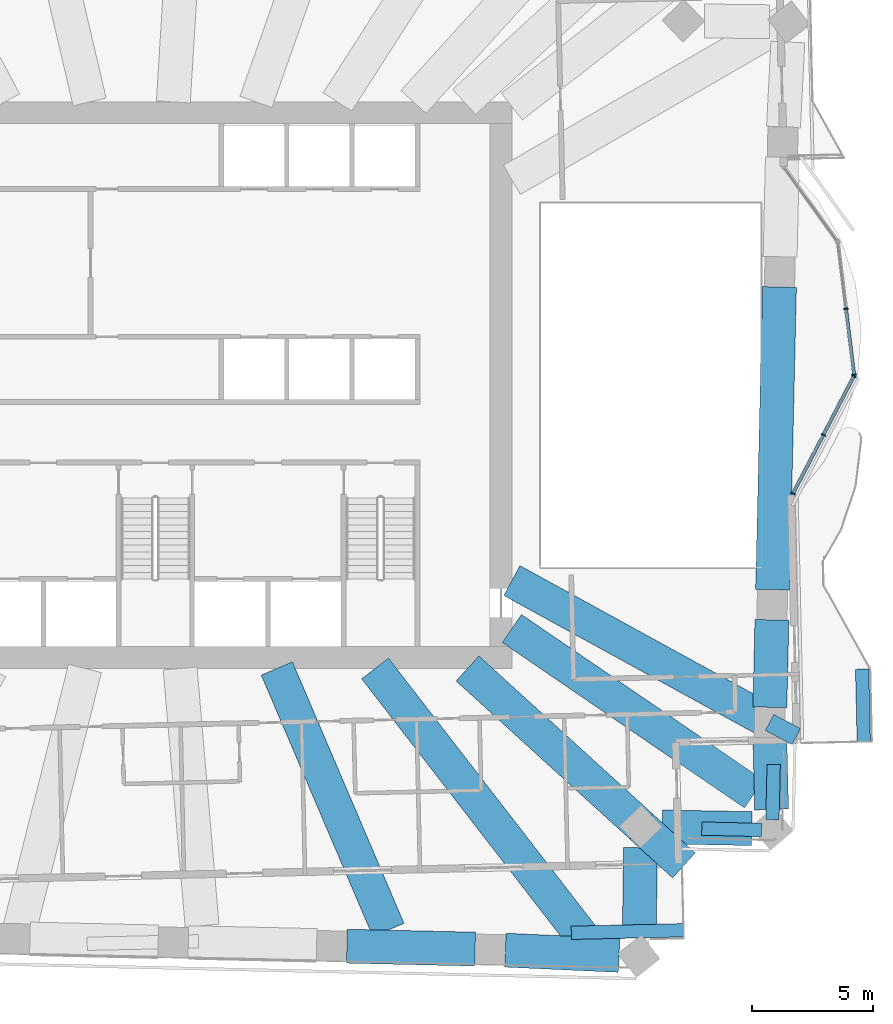
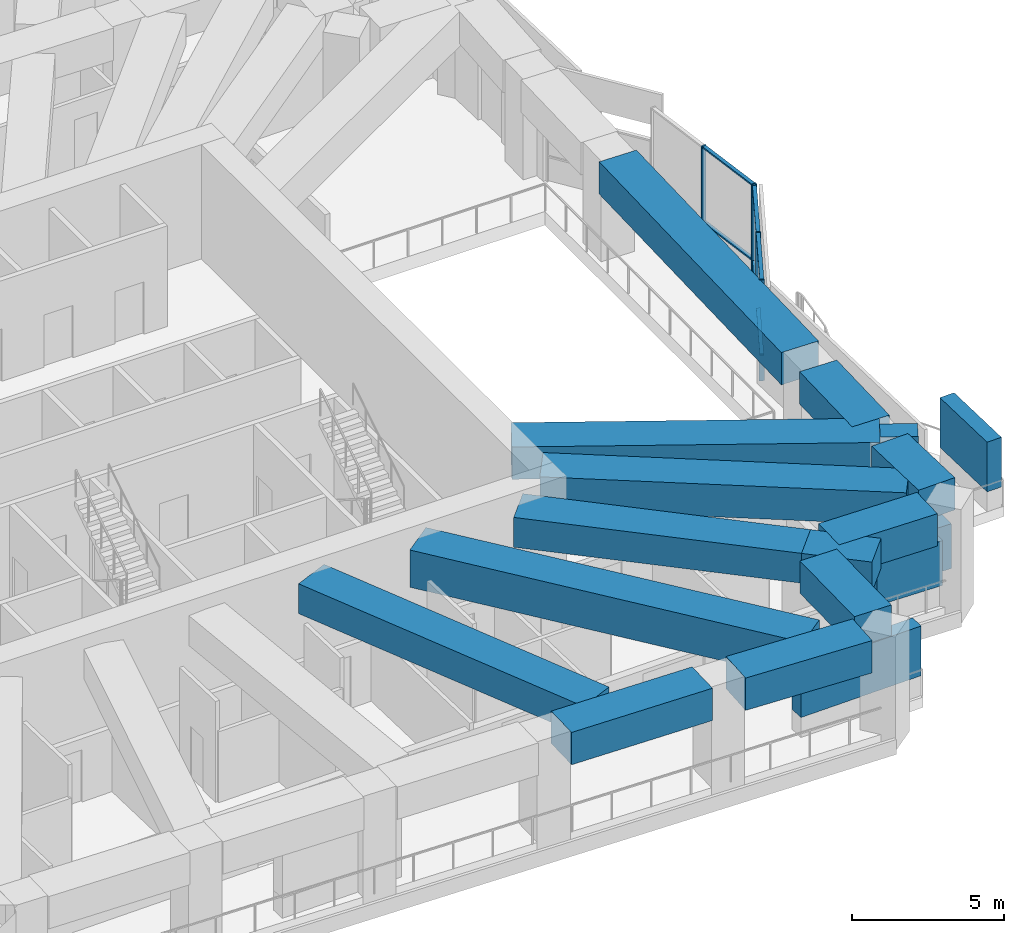
# One storey, part 3 of 17: 15 members, 14 beams, 2 elements without a shape of their own.
"""IFC4 building model written with IfcOpenShell, lengths in metres."""

from ifc_helpers import new_model, si_unit, direction, frame, origin, origin_2d, place, context, subcontext, project, spatial, rectangle, extrude, material, material_profile, profile_set, type_object, element, aggregate, save


model = new_model("IFC4")

# Units and contexts
model_context = context("Model", 3, precision=1e-05, world=origin(), true_north=direction((0.0, 1.0)))
body_context = subcontext(model_context, "Body", "Model", "MODEL_VIEW")
ifc_project = project(units=[si_unit("LENGTHUNIT", "METRE"), si_unit("AREAUNIT", "SQUARE_METRE"), si_unit("VOLUMEUNIT", "CUBIC_METRE"), si_unit("PLANEANGLEUNIT", "RADIAN"), si_unit("MASSUNIT", "GRAM", prefix="KILO")], contexts=[model_context])

# Site, building, storey
site_placement = place(None, origin())
site = spatial("IfcSite", under=ifc_project, at=site_placement, CompositionType="ELEMENT")
building_placement = place(site_placement, origin())
building = spatial("IfcBuilding", under=site, at=building_placement, Name="Mangrove Gate Tower", CompositionType="ELEMENT")
storey_placement = place(building_placement, frame((0.0, 0.0, 170.699951171875)))
storey = spatial("IfcBuildingStorey", under=building, at=storey_placement, Name="L43", CompositionType="ELEMENT", Elevation=170.699951171875)

# Members
ifc_material_1 = material(Name="Planting on aluminium trellis", Category="aluminium")
ifc_material_profile_1 = material_profile(ifc_material_1, rectangle(XDim=0.550048828125, YDim=2.0, at=origin_2d()))
ifc_profile_set_1 = profile_set([ifc_material_profile_1], Name="Planting on aluminium trellis")
member_type_1 = type_object("IfcMemberType", Name="Balcony greenery screen 550x2000", PredefinedType="USERDEFINED", material=ifc_profile_set_1)
member_1_placement = place(storey_placement, frame((29.23388671875, -14.72705078125, 1.800048828125), z_axis=(-0.022625271604, 0.999744015778, 0.0), x_axis=(-0.999744015778, -0.022625271604, 0.0)))
element("IfcMember", 1, at=member_1_placement, inside=storey, type_object=member_type_1, Name="GREEN SCREEN L43 E0.1", ObjectType="PLANTING", PredefinedType="USERDEFINED", context=body_context, shape_type="SweptSolid", body=[
    extrude(rectangle(XDim=0.550048828125, YDim=2.0, at=origin_2d()), origin(), (0.0, 0.0, 1.0), 2.999755859375),
])
member_2_placement = place(storey_placement, frame((17.155029296875, -22.617919921875, 1.800048828125), z_axis=(0.999744031086, 0.022624595199, 0.0), x_axis=(-0.022624595199, 0.999744031086, 0.0)))
element("IfcMember", 2, at=member_2_placement, inside=storey, type_object=member_type_1, Name="GREEN SCREEN L43 S1.1", ObjectType="PLANTING", PredefinedType="USERDEFINED", context=body_context, shape_type="SweptSolid", body=[
    extrude(rectangle(XDim=0.550048828125, YDim=2.0, at=origin_2d()), origin(), (0.0, 0.0, 1.0), 4.64013671875),
])
ifc_material_2 = material(Name="Planting on aluminium trellis", Category="aluminium")
ifc_material_profile_2 = material_profile(ifc_material_2, rectangle(XDim=0.550048828125, YDim=1.800048828125, at=origin_2d()))
ifc_profile_set_2 = profile_set([ifc_material_profile_2], Name="Planting on aluminium trellis")
member_type_2 = type_object("IfcMemberType", Name="Roof greenery screen 550x1800", PredefinedType="USERDEFINED", material=ifc_profile_set_2)
member_3_placement = place(storey_placement, frame((25.01708984375, -18.37109375, 1.699951171875), z_axis=(-0.999733308565, 0.023093543357, 0.0), x_axis=(-0.023093543357, -0.999733308565, 0.0)))
element("IfcMember", 3, at=member_3_placement, inside=storey, type_object=member_type_2, Name="GREEN SCREEN L43 T2.1.6", ObjectType="PLANTING", PredefinedType="USERDEFINED", context=body_context, shape_type="SweptSolid", body=[
    extrude(rectangle(XDim=0.550048828125, YDim=1.800048828125, at=origin_2d()), origin(), (0.0, 0.0, 1.0), 2.473876953125),
])
member_4_placement = place(storey_placement, frame((25.512939453125, -15.6650390625, 1.699951171875), z_axis=(-0.022791894382, -0.999740231035, 0.0), x_axis=(0.999740231035, -0.022791894382, 0.0)))
element("IfcMember", 4, at=member_4_placement, inside=storey, type_object=member_type_2, Name="GREEN SCREEN L43 T2.2.6", ObjectType="PLANTING", PredefinedType="USERDEFINED", context=body_context, shape_type="SweptSolid", body=[
    extrude(rectangle(XDim=0.550048828125, YDim=1.800048828125, at=origin_2d()), origin(), (0.0, 0.0, 1.0), 2.281494140625),
])

# Curtain wall, members
ifc_material_3 = material(Name="Aluminium and glass curtain wall", Category="aluminium")
curtain_wall_type = type_object("IfcCurtainWallType", Name="Sky-lounge glazing wall", PredefinedType="NOTDEFINED", material=ifc_material_3)
curtain_wall_1_placement = place(storey_placement, origin())
curtain_wall_1 = element("IfcCurtainWall", 5, at=curtain_wall_1_placement, inside=storey, type_object=curtain_wall_type, Name="Sky-lounge glazing E1f1", PredefinedType="NOTDEFINED")
ifc_material_4 = material(Name="Aluminium alloy 6063-T6", Category="aluminium")
ifc_material_profile_3 = material_profile(ifc_material_4, rectangle(XDim=0.06005859375, YDim=0.179931640625, at=origin_2d()))
ifc_profile_set_3 = profile_set([ifc_material_profile_3], Name="Aluminium alloy 6063-T6")
member_type_3 = type_object("IfcMemberType", Name="Sky-lounge glazing mullion 60x180", PredefinedType="MULLION", material=ifc_profile_set_3)
member_5_placement = place(storey_placement, frame((26.310791015625, -4.473388671875, 0.0), z_axis=(0.0, 0.0, 1.0), x_axis=(0.460655932152, 0.887578792093, 0.0)))
member_5 = element("IfcMember", 6, at=member_5_placement, type_object=member_type_3, Name="CWK mullion 1", PredefinedType="MULLION", context=body_context, shape_type="SweptSolid", body=[
    extrude(rectangle(XDim=0.06005859375, YDim=0.179931640625, at=origin_2d()), origin(), (0.0, 0.0, 1.0), 4.050048828125),
])
member_6_placement = place(storey_placement, frame((27.56689453125, -2.052978515625, 0.0), z_axis=(0.0, 0.0, 1.0), x_axis=(0.460655932152, 0.887578792093, 0.0)))
member_6 = element("IfcMember", 7, at=member_6_placement, type_object=member_type_3, Name="CWK mullion 2", PredefinedType="MULLION", context=body_context, shape_type="SweptSolid", body=[
    extrude(rectangle(XDim=0.06005859375, YDim=0.179931640625, at=origin_2d()), origin(), (0.0, 0.0, 1.0), 4.050048828125),
])
member_7_placement = place(storey_placement, frame((28.8232421875, 0.367431640625, 0.0), z_axis=(0.0, 0.0, 1.0), x_axis=(0.460655932152, 0.887578792093, 0.0)))
member_7 = element("IfcMember", 8, at=member_7_placement, type_object=member_type_3, Name="CWK mullion 3", PredefinedType="MULLION", context=body_context, shape_type="SweptSolid", body=[
    extrude(rectangle(XDim=0.06005859375, YDim=0.179931640625, at=origin_2d()), origin(), (0.0, 0.0, 1.0), 4.050048828125),
])

curtain_wall_2_placement = place(storey_placement, origin())
curtain_wall_2 = element("IfcCurtainWall", 9, at=curtain_wall_2_placement, inside=storey, type_object=curtain_wall_type, Name="Sky-lounge glazing E1f2", PredefinedType="NOTDEFINED")
member_8_placement = place(storey_placement, frame((28.83349609375, 0.424072265625, 0.0), z_axis=(0.0, 0.0, 1.0), x_axis=(-0.122172286076, 0.992508908028, 0.0)))
member_8 = element("IfcMember", 10, at=member_8_placement, type_object=member_type_3, Name="CWK mullion 1", PredefinedType="MULLION", context=body_context, shape_type="SweptSolid", body=[
    extrude(rectangle(XDim=0.06005859375, YDim=0.179931640625, at=origin_2d()), origin(), (0.0, 0.0, 1.0), 4.050048828125),
])
member_9_placement = place(storey_placement, frame((28.496826171875, 3.16015625, 0.0), z_axis=(0.0, 0.0, 1.0), x_axis=(-0.122172286076, 0.992508908028, 0.0)))
member_9 = element("IfcMember", 11, at=member_9_placement, type_object=member_type_3, Name="CWK mullion 2", PredefinedType="MULLION", context=body_context, shape_type="SweptSolid", body=[
    extrude(rectangle(XDim=0.06005859375, YDim=0.179931640625, at=origin_2d()), origin(), (0.0, 0.0, 1.0), 4.050048828125),
])

# Member
ifc_material_5 = material(Name="Aluminium alloy 6063-T6", Category="aluminium")
ifc_material_profile_4 = material_profile(ifc_material_5, rectangle(XDim=0.06005859375, YDim=0.139892578125, at=origin_2d()))
ifc_profile_set_4 = profile_set([ifc_material_profile_4], Name="Aluminium alloy 6063-T6")
member_type_4 = type_object("IfcMemberType", Name="Sky-lounge glazing transom 60x140", PredefinedType="USERDEFINED", material=ifc_profile_set_4)
member_10_placement = place(storey_placement, frame((26.32470703125, -4.44677734375, 1.0), z_axis=(0.46063777775, 0.887588214044, 0.0), x_axis=(0.0, 0.0, 1.0)))
member_10 = element("IfcMember", 12, at=member_10_placement, type_object=member_type_4, Name="CWK transom 1.2", ObjectType="TRANSOM", PredefinedType="USERDEFINED", context=body_context, shape_type="SweptSolid", body=[
    extrude(rectangle(XDim=0.06005859375, YDim=0.139892578125, at=origin_2d()), origin(), (0.0, 0.0, 1.0), 2.6669921875),
])

member_11_placement = place(storey_placement, frame((26.32470703125, -4.44677734375, 4.02001953125), z_axis=(0.46063777775, 0.887588214044, 0.0), x_axis=(0.0, 0.0, 1.0)))
member_11 = element("IfcMember", 13, at=member_11_placement, type_object=member_type_4, Name="CWK transom 1.3", ObjectType="TRANSOM", PredefinedType="USERDEFINED", context=body_context, shape_type="SweptSolid", body=[
    extrude(rectangle(XDim=0.06005859375, YDim=0.139892578125, at=origin_2d()), origin(), (0.0, 0.0, 1.0), 2.6669921875),
])

member_12_placement = place(storey_placement, frame((27.580810546875, -2.0263671875, 1.0), z_axis=(0.46063777775, 0.887588214044, 0.0), x_axis=(0.0, 0.0, 1.0)))
member_12 = element("IfcMember", 14, at=member_12_placement, type_object=member_type_4, Name="CWK transom 2.2", ObjectType="TRANSOM", PredefinedType="USERDEFINED", context=body_context, shape_type="SweptSolid", body=[
    extrude(rectangle(XDim=0.06005859375, YDim=0.139892578125, at=origin_2d()), origin(), (0.0, 0.0, 1.0), 2.6669921875),
])

member_13_placement = place(storey_placement, frame((27.580810546875, -2.0263671875, 4.02001953125), z_axis=(0.46063777775, 0.887588214044, 0.0), x_axis=(0.0, 0.0, 1.0)))
member_13 = element("IfcMember", 15, at=member_13_placement, type_object=member_type_4, Name="CWK transom 2.3", ObjectType="TRANSOM", PredefinedType="USERDEFINED", context=body_context, shape_type="SweptSolid", body=[
    extrude(rectangle(XDim=0.06005859375, YDim=0.139892578125, at=origin_2d()), origin(), (0.0, 0.0, 1.0), 2.6669921875),
])

aggregate(curtain_wall_1, [member_5, member_6, member_7, member_10, member_11, member_12, member_13])

member_14_placement = place(storey_placement, frame((28.829833984375, 0.453857421875, 1.0), z_axis=(-0.122129132669, 0.992514219018, 0.0), x_axis=(0.0, 0.0, 1.0)))
member_14 = element("IfcMember", 16, at=member_14_placement, type_object=member_type_4, Name="CWK transom 1.2", ObjectType="TRANSOM", PredefinedType="USERDEFINED", context=body_context, shape_type="SweptSolid", body=[
    extrude(rectangle(XDim=0.06005859375, YDim=0.139892578125, at=origin_2d()), origin(), (0.0, 0.0, 1.0), 2.69677734375),
])

member_15_placement = place(storey_placement, frame((28.829833984375, 0.453857421875, 4.02001953125), z_axis=(-0.122129132669, 0.992514219018, 0.0), x_axis=(0.0, 0.0, 1.0)))
member_15 = element("IfcMember", 17, at=member_15_placement, type_object=member_type_4, Name="CWK transom 1.3", ObjectType="TRANSOM", PredefinedType="USERDEFINED", context=body_context, shape_type="SweptSolid", body=[
    extrude(rectangle(XDim=0.06005859375, YDim=0.139892578125, at=origin_2d()), origin(), (0.0, 0.0, 1.0), 2.69677734375),
])

aggregate(curtain_wall_2, [member_8, member_9, member_14, member_15])

# Beams
ifc_material_6 = material(Name="Concrete C60/75", Category="concrete")
ifc_material_profile_5 = material_profile(ifc_material_6, rectangle(XDim=1.39990234375, YDim=1.199951171875, at=origin_2d()))
ifc_profile_set_5 = profile_set([ifc_material_profile_5], Name="Concrete C60/75")
beam_type_1 = type_object("IfcBeamType", Name="Transfer girder RC 1400x1200 C60/75", PredefinedType="BEAM", material=ifc_profile_set_5)
beam_1_placement = place(storey_placement, frame((4.992431640625, -11.699951171875, 3.449951171875), z_axis=(0.392466120443, -0.919766461829, 0.0), x_axis=(0.919766461829, 0.392466120443, 0.0)))
element("IfcBeam", 18, at=beam_1_placement, inside=storey, type_object=beam_type_1, Name="Transfer girder L43 08", PredefinedType="BEAM", context=body_context, shape_type="SweptSolid", body=[
    extrude(rectangle(XDim=1.39990234375, YDim=1.199951171875, at=origin_2d()), origin(), (0.0, 0.0, 1.0), 11.744140625),
])
beam_2_placement = place(storey_placement, frame((12.866455078125, -11.699951171875, 3.449951171875), z_axis=(0.739850159483, -0.672771686022, 0.0), x_axis=(0.672771686022, 0.739850159483, 0.0)))
element("IfcBeam", 19, at=beam_2_placement, inside=storey, type_object=beam_type_1, Name="Transfer girder L43 10", PredefinedType="BEAM", context=body_context, shape_type="SweptSolid", body=[
    extrude(rectangle(XDim=1.39990234375, YDim=1.199951171875, at=origin_2d()), origin(), (0.0, 0.0, 1.0), 9.706787109375),
])
beam_3_placement = place(storey_placement, frame((20.048095703125, -18.23046875, 3.449951171875), z_axis=(0.739828583596, -0.672795412361, 0.0), x_axis=(0.672795412361, 0.739828583596, 0.0)))
element("IfcBeam", 20, at=beam_3_placement, inside=storey, type_object=beam_type_1, Name="Transfer cantilever girder L43 10", PredefinedType="BEAM", context=body_context, shape_type="SweptSolid", body=[
    extrude(rectangle(XDim=1.39990234375, YDim=1.199951171875, at=origin_2d()), origin(), (0.0, 0.0, 1.0), 2.378173828125),
])
ifc_material_7 = material(Name="Concrete C60/75", Category="concrete")
ifc_material_profile_6 = material_profile(ifc_material_7, rectangle(XDim=1.39990234375, YDim=1.300048828125, at=origin_2d()))
ifc_profile_set_6 = profile_set([ifc_material_profile_6], Name="Concrete C60/75")
beam_type_2 = type_object("IfcBeamType", Name="Transfer girder RC 1400x1300 C60/75", PredefinedType="BEAM", material=ifc_profile_set_6)
beam_4_placement = place(storey_placement, frame((7.885009765625, -23.17333984375, 3.400146484375), z_axis=(0.999744919731, -0.022585293253, 0.0), x_axis=(0.022585293253, 0.999744919731, 0.0)))
element("IfcBeam", 21, at=beam_4_placement, inside=storey, type_object=beam_type_2, Name="Transfer ring girder L43 08", PredefinedType="BEAM", context=body_context, shape_type="SweptSolid", body=[
    extrude(rectangle(XDim=1.39990234375, YDim=1.300048828125, at=origin_2d()), origin(), (0.0, 0.0, 1.0), 5.296875),
])
beam_5_placement = place(storey_placement, frame((14.4296875, -23.3359375, 3.400146484375), z_axis=(0.998942344902, -0.045980338859, 0.0), x_axis=(0.045980338859, 0.998942344902, 0.0)))
element("IfcBeam", 22, at=beam_5_placement, inside=storey, type_object=beam_type_2, Name="Transfer ring girder L43 09", PredefinedType="BEAM", context=body_context, shape_type="SweptSolid", body=[
    extrude(rectangle(XDim=1.39990234375, YDim=1.300048828125, at=origin_2d()), origin(), (0.0, 0.0, 1.0), 4.698974609375),
])
beam_6_placement = place(storey_placement, frame((19.9609375, -22.785400390625, 3.400146484375), z_axis=(0.014333541957, 0.999897269511, 0.0), x_axis=(-0.999897269511, 0.014333541957, 0.0)))
element("IfcBeam", 23, at=beam_6_placement, inside=storey, type_object=beam_type_2, Name="Transfer ring girder L43 10", PredefinedType="BEAM", context=body_context, shape_type="SweptSolid", body=[
    extrude(rectangle(XDim=1.39990234375, YDim=1.300048828125, at=origin_2d()), origin(), (0.0, 0.0, 1.0), 3.67919921875),
])
beam_7_placement = place(storey_placement, frame((20.90625, -18.24658203125, 3.400146484375), z_axis=(0.999827422602, -0.018577540566, 0.0), x_axis=(0.018577540566, 0.999827422602, 0.0)))
element("IfcBeam", 24, at=beam_7_placement, inside=storey, type_object=beam_type_2, Name="Transfer ring girder L43 11", PredefinedType="BEAM", context=body_context, shape_type="SweptSolid", body=[
    extrude(rectangle(XDim=1.39990234375, YDim=1.300048828125, at=origin_2d()), origin(), (0.0, 0.0, 1.0), 3.7060546875),
])
beam_8_placement = place(storey_placement, frame((25.4296875, -17.523681640625, 3.400146484375), z_axis=(-0.024338897392, 0.999703765159, 0.0), x_axis=(-0.999703765159, -0.024338897392, 0.0)))
element("IfcBeam", 25, at=beam_8_placement, inside=storey, type_object=beam_type_2, Name="Transfer ring girder L43 12", PredefinedType="BEAM", context=body_context, shape_type="SweptSolid", body=[
    extrude(rectangle(XDim=1.39990234375, YDim=1.300048828125, at=origin_2d()), origin(), (0.0, 0.0, 1.0), 2.96923828125),
])
beam_9_placement = place(storey_placement, frame((25.3564453125, -13.304931640625, 3.400146484375), z_axis=(0.022844226229, 0.999739036613, 0.0), x_axis=(-0.999739036613, 0.022844226229, 0.0)))
element("IfcBeam", 26, at=beam_9_placement, inside=storey, type_object=beam_type_2, Name="Transfer ring girder L43 13", PredefinedType="BEAM", context=body_context, shape_type="SweptSolid", body=[
    extrude(rectangle(XDim=1.39990234375, YDim=1.300048828125, at=origin_2d()), origin(), (0.0, 0.0, 1.0), 3.6123046875),
])
beam_10_placement = place(storey_placement, frame((25.46728515625, -8.44384765625, 3.400146484375), z_axis=(0.022693013796, 0.999742480404, 0.0), x_axis=(-0.999742480404, 0.022693013796, 0.0)))
element("IfcBeam", 27, at=beam_10_placement, inside=storey, type_object=beam_type_2, Name="Transfer ring girder L43 14", PredefinedType="BEAM", context=body_context, shape_type="SweptSolid", body=[
    extrude(rectangle(XDim=1.39990234375, YDim=1.300048828125, at=origin_2d()), origin(), (0.0, 0.0, 1.0), 12.501220703125),
])
beam_11_placement = place(storey_placement, frame((14.699951171875, -10.05029296875, 3.400146484375), z_axis=(0.825516314065, -0.564378255439, 0.0), x_axis=(0.564378255439, 0.825516314065, 0.0)))
element("IfcBeam", 28, at=beam_11_placement, inside=storey, type_object=beam_type_2, Name="Transfer girder L43 11", PredefinedType="BEAM", context=body_context, shape_type="SweptSolid", body=[
    extrude(rectangle(XDim=1.39990234375, YDim=1.300048828125, at=origin_2d()), origin(), (0.0, 0.0, 1.0), 12.113525390625),
])
beam_12_placement = place(storey_placement, frame((14.699951171875, -8.07080078125, 3.400146484375), z_axis=(0.876577386434, -0.481260932959, 0.0), x_axis=(0.481260932959, 0.876577386434, 0.0)))
element("IfcBeam", 29, at=beam_12_placement, inside=storey, type_object=beam_type_2, Name="Transfer girder L43 12", PredefinedType="BEAM", context=body_context, shape_type="SweptSolid", body=[
    extrude(rectangle(XDim=1.39990234375, YDim=1.300048828125, at=origin_2d()), origin(), (0.0, 0.0, 1.0), 12.14111328125),
])
ifc_material_8 = material(Name="Concrete C60/75", Category="concrete")
ifc_material_profile_7 = material_profile(ifc_material_8, rectangle(XDim=1.39990234375, YDim=1.5, at=origin_2d()))
ifc_profile_set_7 = profile_set([ifc_material_profile_7], Name="Concrete C60/75")
beam_type_3 = type_object("IfcBeamType", Name="Transfer girder RC 1400x1500 C60/75", PredefinedType="BEAM", material=ifc_profile_set_7)
beam_13_placement = place(storey_placement, frame((9.048583984375, -11.699951171875, 3.300048828125), z_axis=(0.611766399704, -0.791038477062, 0.0), x_axis=(0.791038477062, 0.611766399704, 0.0)))
element("IfcBeam", 30, at=beam_13_placement, inside=storey, type_object=beam_type_3, Name="Transfer girder L43 09", PredefinedType="BEAM", context=body_context, shape_type="SweptSolid", body=[
    extrude(rectangle(XDim=1.39990234375, YDim=1.5, at=origin_2d()), origin(), (0.0, 0.0, 1.0), 14.0078125),
])
ifc_material_9 = material(Name="Concrete C60/75", Category="concrete")
ifc_material_profile_8 = material_profile(ifc_material_9, rectangle(XDim=0.75, YDim=1.25, at=origin_2d()))
ifc_profile_set_8 = profile_set([ifc_material_profile_8], Name="Concrete C60/75")
beam_type_4 = type_object("IfcBeamType", Name="Transfer girder RC 750x1250 C60/75", PredefinedType="BEAM", material=ifc_profile_set_8)
beam_14_placement = place(storey_placement, frame((25.342041015625, -13.9296875, 3.425048828125), z_axis=(0.883602766927, -0.468237279891, 0.0), x_axis=(0.468237279891, 0.883602766927, 0.0)))
element("IfcBeam", 31, at=beam_14_placement, inside=storey, type_object=beam_type_4, Name="Transfer edge girder L43 12", PredefinedType="BEAM", context=body_context, shape_type="SweptSolid", body=[
    extrude(rectangle(XDim=0.75, YDim=1.25, at=origin_2d()), origin(), (0.0, 0.0, 1.0), 1.25146484375),
])

save(model, "model.ifc")
